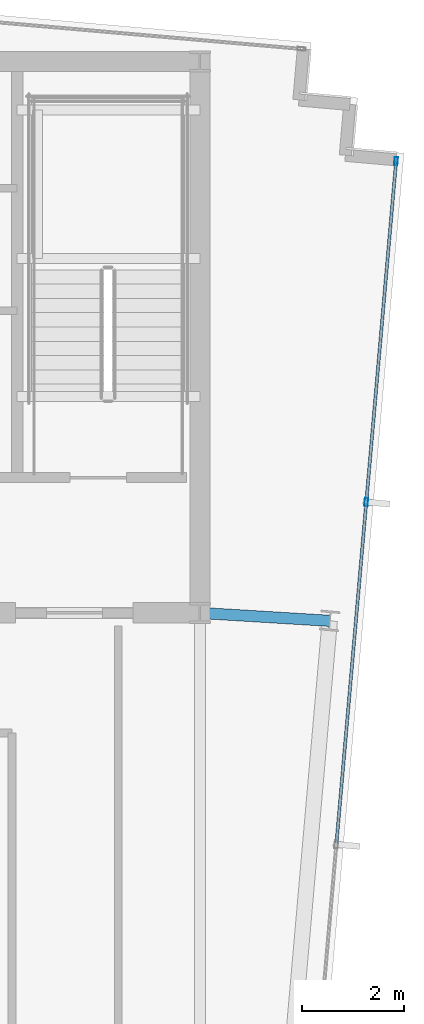
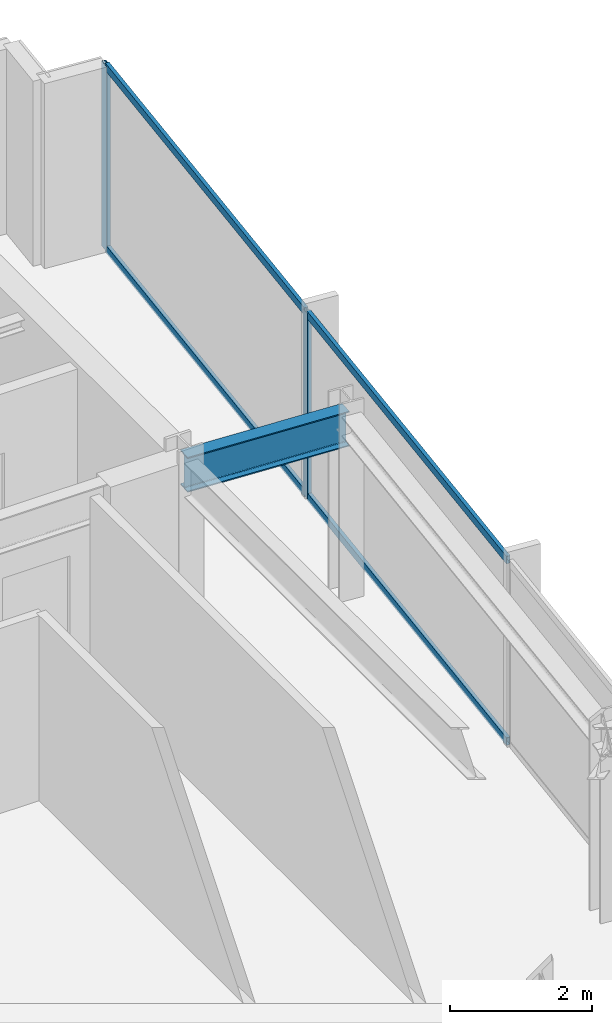
# One storey, part 21 of 32: 6 members, 1 beam, 1 element without a shape of its own.
"""IFC4 building model written with IfcOpenShell, lengths in metres."""

from ifc_helpers import new_model, si_unit, direction, frame, origin, origin_2d, place, context, subcontext, project, spatial, hollow_rectangle, i_section, extrude, material, material_profile, profile_set, type_object, element, aggregate, save


model = new_model("IFC4")

# Units and contexts
model_context = context("Model", 3, precision=1e-05, world=origin(), true_north=direction((0.0, 1.0)))
body_context = subcontext(model_context, "Body", "Model", "MODEL_VIEW")
ifc_project = project(units=[si_unit("LENGTHUNIT", "METRE"), si_unit("AREAUNIT", "SQUARE_METRE"), si_unit("VOLUMEUNIT", "CUBIC_METRE"), si_unit("PLANEANGLEUNIT", "RADIAN"), si_unit("MASSUNIT", "GRAM", prefix="KILO")], contexts=[model_context])

# Site, building, storey
site_placement = place(None, origin())
site = spatial("IfcSite", under=ifc_project, at=site_placement, CompositionType="ELEMENT")
building_placement = place(site_placement, origin())
building = spatial("IfcBuilding", under=site, at=building_placement, Name="Yelkora Congress Tower", CompositionType="ELEMENT")
storey_placement = place(building_placement, frame((0.0, 0.0, 279.5)))
storey = spatial("IfcBuildingStorey", under=building, at=storey_placement, Name="L78", CompositionType="ELEMENT", Elevation=279.5)

# Beam
ifc_material_1 = material(Name="Steel S355J2", Category="steel")
ifc_material_profile_1 = material_profile(ifc_material_1, i_section(OverallWidth=0.219970703125, OverallDepth=0.60009765625, WebThickness=0.011962890625, FlangeThickness=0.01904296875, FilletRadius=0.02392578125, at=origin_2d()), Name="IPE 600")
ifc_profile_set_1 = profile_set([ifc_material_profile_1], Name="Steel S355J2")
beam_type = type_object("IfcBeamType", Name="BM-GIRD-IPE600", PredefinedType="BEAM", material=ifc_profile_set_1)
beam_placement = place(storey_placement, frame((56.302001953125, 35.24560546875, 2.8798828125), z_axis=(-0.99816287892, 0.060587681471, 0.0), x_axis=(-0.060587681471, -0.99816287892, 0.0)))
element("IfcBeam", 1, at=beam_placement, inside=storey, type_object=beam_type, Name="L78 Primary Frame Girder E02", PredefinedType="BEAM", context=body_context, shape_type="SweptSolid", body=[
    extrude(i_section(OverallWidth=0.219970703125, OverallDepth=0.60009765625, WebThickness=0.011962890625, FlangeThickness=0.01904296875, FilletRadius=0.02392578125, at=origin_2d()), origin(), (0.0, 0.0, 1.0), 2.546630859375),
])

# Curtain wall, members
ifc_material_2 = material(Name="Anodised aluminium and insulated glass", Category="aluminium")
curtain_wall_type = type_object("IfcCurtainWallType", Name="CW-SYS-B5", PredefinedType="NOTDEFINED", material=ifc_material_2)
curtain_wall_placement = place(storey_placement, origin())
curtain_wall = element("IfcCurtainWall", 2, at=curtain_wall_placement, inside=storey, type_object=curtain_wall_type, Name="L78 Unitised Curtain Wall 15", PredefinedType="NOTDEFINED")
ifc_material_3 = material(Name="Anodised aluminium 6063-T6", Category="aluminium")
ifc_material_profile_2 = material_profile(ifc_material_3, hollow_rectangle(XDim=0.06494140625, YDim=0.159912109375, WallThickness=0.00390625, at=origin_2d()), Name="ALU 65x160x4")
ifc_profile_set_2 = profile_set([ifc_material_profile_2], Name="Anodised aluminium 6063-T6")
member_type_1 = type_object("IfcMemberType", Name="MEM-ML-B5", PredefinedType="MULLION", material=ifc_profile_set_2)
member_1_placement = place(storey_placement, frame((57.601318359375, 44.243896484375, 0.0), z_axis=(0.0, 0.0, 1.0), x_axis=(0.996194463398, -0.087158425264, 0.0)))
member_1 = element("IfcMember", 3, at=member_1_placement, type_object=member_type_1, Name="CW-B5 mullion 1", PredefinedType="MULLION", context=body_context, shape_type="SweptSolid", body=[
    extrude(hollow_rectangle(XDim=0.06494140625, YDim=0.159912109375, WallThickness=0.00390625, at=origin_2d()), origin(), (0.0, 0.0, 1.0), 3.179931640625),
])
member_2_placement = place(storey_placement, frame((57.017578125, 37.572021484375, 0.0), z_axis=(0.0, 0.0, 1.0), x_axis=(0.996194463398, -0.087158425264, 0.0)))
member_2 = element("IfcMember", 4, at=member_2_placement, type_object=member_type_1, Name="CW-B5 mullion 2", PredefinedType="MULLION", context=body_context, shape_type="SweptSolid", body=[
    extrude(hollow_rectangle(XDim=0.06494140625, YDim=0.159912109375, WallThickness=0.00390625, at=origin_2d()), origin(), (0.0, 0.0, 1.0), 3.179931640625),
])
ifc_material_profile_3 = material_profile(ifc_material_3, hollow_rectangle(XDim=0.06005859375, YDim=0.1298828125, WallThickness=0.00390625, at=origin_2d()), Name="ALU 60x130x4")
ifc_profile_set_3 = profile_set([ifc_material_profile_3], Name="Anodised aluminium 6063-T6")
member_type_2 = type_object("IfcMemberType", Name="MEM-TR-B5", PredefinedType="USERDEFINED", material=ifc_profile_set_3)
member_3_placement = place(storey_placement, frame((57.598388671875, 44.21142578125, 0.030029296875), z_axis=(-0.08716649365, -0.996193757451, 0.0), x_axis=(0.996193757451, -0.08716649365, 0.0)))
member_3 = element("IfcMember", 5, at=member_3_placement, type_object=member_type_2, Name="CW-B5 transom 1.1", ObjectType="TRANSOM", PredefinedType="USERDEFINED", context=body_context, shape_type="SweptSolid", body=[
    extrude(hollow_rectangle(XDim=0.06005859375, YDim=0.1298828125, WallThickness=0.00390625, at=origin_2d()), origin(), (0.0, 0.0, 1.0), 6.63232421875),
])
member_4_placement = place(storey_placement, frame((57.598388671875, 44.21142578125, 3.14990234375), z_axis=(-0.08716649365, -0.996193757451, 0.0), x_axis=(0.996193757451, -0.08716649365, 0.0)))
member_4 = element("IfcMember", 6, at=member_4_placement, type_object=member_type_2, Name="CW-B5 transom 1.2", ObjectType="TRANSOM", PredefinedType="USERDEFINED", context=body_context, shape_type="SweptSolid", body=[
    extrude(hollow_rectangle(XDim=0.06005859375, YDim=0.1298828125, WallThickness=0.00390625, at=origin_2d()), origin(), (0.0, 0.0, 1.0), 6.63232421875),
])
member_5_placement = place(storey_placement, frame((57.0146484375, 37.53955078125, 0.030029296875), z_axis=(-0.087143321513, -0.996195784731, 0.0), x_axis=(0.996195784731, -0.087143321513, 0.0)))
member_5 = element("IfcMember", 7, at=member_5_placement, type_object=member_type_2, Name="CW-B5 transom 2.1", ObjectType="TRANSOM", PredefinedType="USERDEFINED", context=body_context, shape_type="SweptSolid", body=[
    extrude(hollow_rectangle(XDim=0.06005859375, YDim=0.1298828125, WallThickness=0.00390625, at=origin_2d()), origin(), (0.0, 0.0, 1.0), 6.6650390625),
])
member_6_placement = place(storey_placement, frame((57.0146484375, 37.53955078125, 3.14990234375), z_axis=(-0.087143321513, -0.996195784731, 0.0), x_axis=(0.996195784731, -0.087143321513, 0.0)))
member_6 = element("IfcMember", 8, at=member_6_placement, type_object=member_type_2, Name="CW-B5 transom 2.2", ObjectType="TRANSOM", PredefinedType="USERDEFINED", context=body_context, shape_type="SweptSolid", body=[
    extrude(hollow_rectangle(XDim=0.06005859375, YDim=0.1298828125, WallThickness=0.00390625, at=origin_2d()), origin(), (0.0, 0.0, 1.0), 6.6650390625),
])
aggregate(curtain_wall, [member_1, member_2, member_3, member_4, member_5, member_6])

save(model, "model.ifc")
